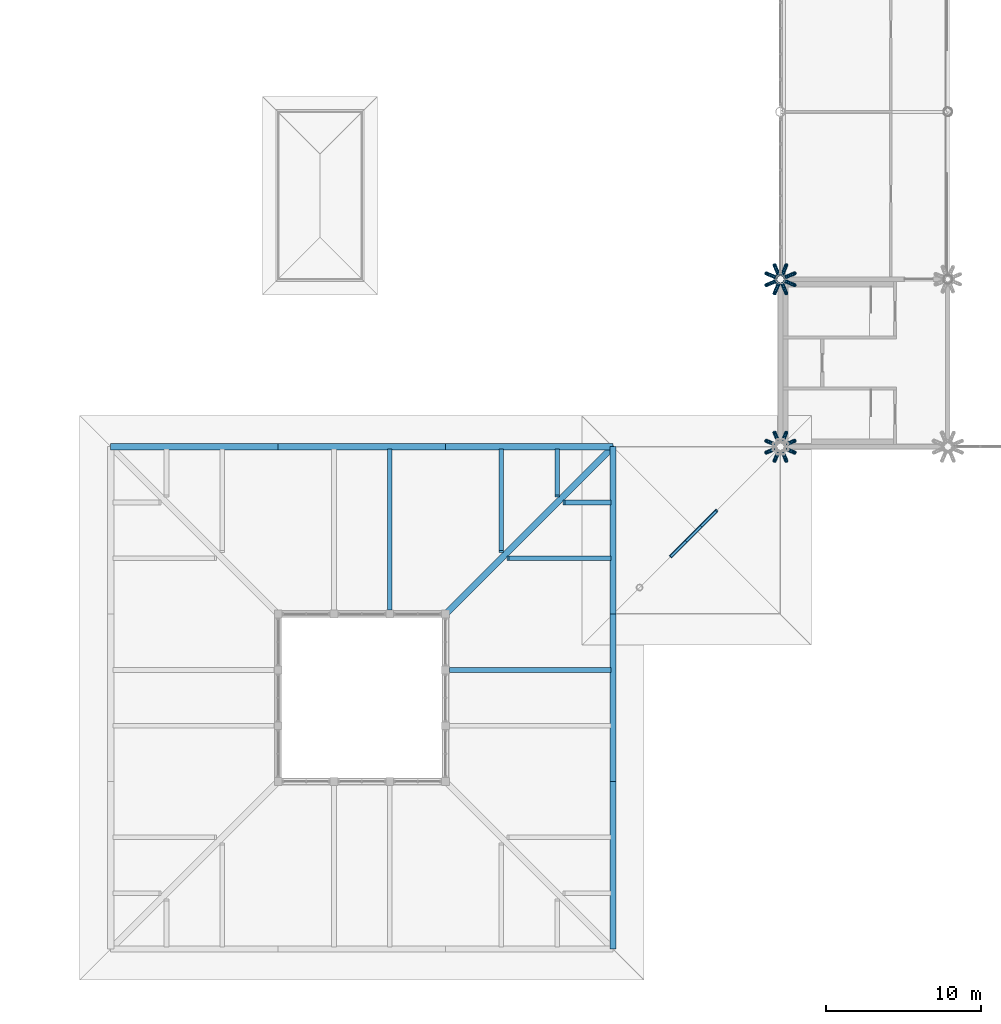
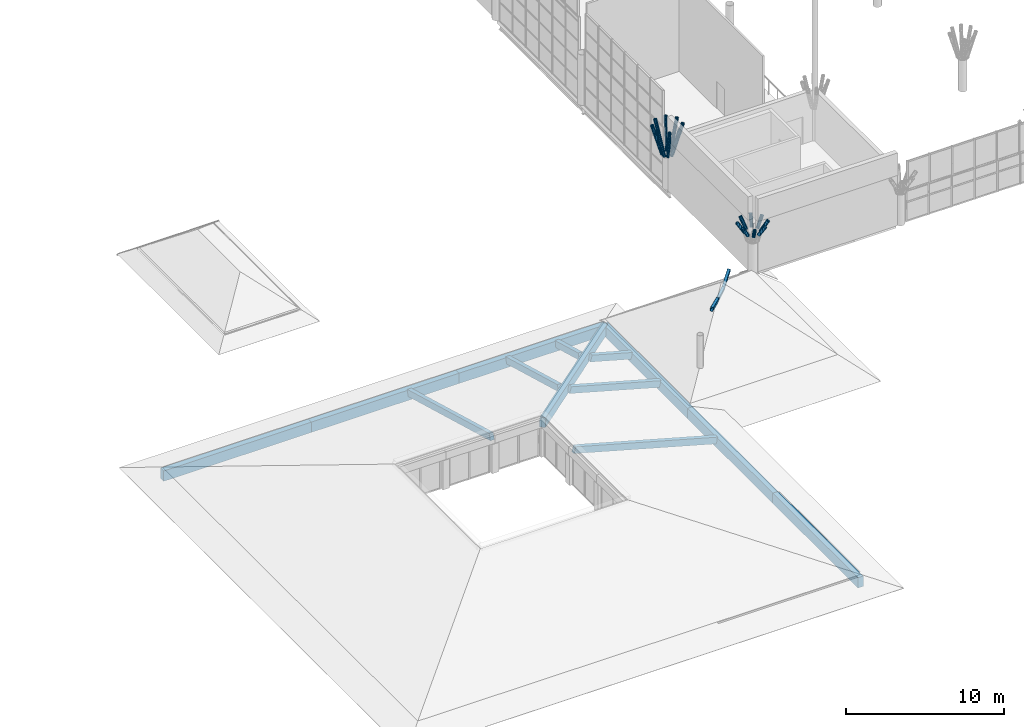
# One storey, part 12 of 95: 19 members, 13 beams.
"""IFC4 building model written with IfcOpenShell, lengths in metres."""

from ifc_helpers import new_model, si_unit, direction, frame, origin, origin_2d, place, context, subcontext, project, spatial, rectangle, hollow_rectangle, hollow_circle, extrude, material, material_profile, profile_set, type_object, element, save


model = new_model("IFC4")

# Units and contexts
model_context = context("Model", 3, precision=1e-05, world=origin(), true_north=direction((0.0, 1.0)))
body_context = subcontext(model_context, "Body", "Model", "MODEL_VIEW")
ifc_project = project(units=[si_unit("LENGTHUNIT", "METRE"), si_unit("AREAUNIT", "SQUARE_METRE"), si_unit("VOLUMEUNIT", "CUBIC_METRE"), si_unit("PLANEANGLEUNIT", "RADIAN"), si_unit("MASSUNIT", "GRAM", prefix="KILO")], contexts=[model_context])

# Site, building, storey
site_placement = place(None, origin())
site = spatial("IfcSite", under=ifc_project, at=site_placement, CompositionType="ELEMENT")
building_placement = place(site_placement, origin())
building = spatial("IfcBuilding", under=site, at=building_placement, Name="Magnolia Steps Interchange", CompositionType="ELEMENT")
storey_placement = place(building_placement, frame((0.0, 0.0, 4.800048828125)))
storey = spatial("IfcBuildingStorey", under=building, at=storey_placement, Name="L01", CompositionType="ELEMENT", Elevation=4.800048828125)

# Beams
ifc_material_1 = material(Name="Concrete C40", Category="concrete")
ifc_material_profile_1 = material_profile(ifc_material_1, rectangle(XDim=0.39990234375, YDim=0.800048828125, at=origin_2d()), Name="RC400x800")
ifc_profile_set_1 = profile_set([ifc_material_profile_1], Name="Concrete C40")
beam_type_1 = type_object("IfcBeamType", Name="Eaves ring beam 400x800", PredefinedType="BEAM", material=ifc_profile_set_1)
for number, where, z_axis, x_axis, name in (
    (1, (10.0, 42.39990234375, -0.550048828125), (1.0, 0.0, 0.0), (0.0, 1.0, 0.0), "Eaves ring beam"),
    (2, (20.800048828125, 42.39990234375, -0.550048828125), (1.0, 0.0, 0.0), (0.0, 1.0, 0.0), "Eaves ring beam"),
):
    element("IfcBeam", number, at=place(storey_placement, frame(where, z_axis=z_axis, x_axis=x_axis)), inside=storey, type_object=beam_type_1, Name=name, PredefinedType="BEAM", context=body_context, shape_type="SweptSolid", body=[
        extrude(rectangle(XDim=0.39990234375, YDim=0.800048828125, at=origin_2d()), origin(), (0.0, 0.0, 1.0), 10.800048828125),
    ])
beam_1_placement = place(storey_placement, frame((31.60009765625, 42.39990234375, -0.550048828125), z_axis=(1.0, 0.0, 0.0), x_axis=(0.0, 1.0, 0.0)))
element("IfcBeam", 3, at=beam_1_placement, inside=storey, type_object=beam_type_1, Name="Eaves ring beam", PredefinedType="BEAM", context=body_context, shape_type="SweptSolid", body=[
    extrude(rectangle(XDim=0.39990234375, YDim=0.800048828125, at=origin_2d()), origin(), (0.0, 0.0, 1.0), 10.7998046875),
])
for number, where, z_axis, x_axis, name in (
    (4, (42.39990234375, 10.0, -0.550048828125), (0.0, 1.0, 0.0), (-1.0, 0.0, 0.0), "Eaves ring beam"),
    (5, (42.39990234375, 20.800048828125, -0.550048828125), (0.0, 1.0, 0.0), (-1.0, 0.0, 0.0), "Eaves ring beam"),
):
    element("IfcBeam", number, at=place(storey_placement, frame(where, z_axis=z_axis, x_axis=x_axis)), inside=storey, type_object=beam_type_1, Name=name, PredefinedType="BEAM", context=body_context, shape_type="SweptSolid", body=[
        extrude(rectangle(XDim=0.39990234375, YDim=0.800048828125, at=origin_2d()), origin(), (0.0, 0.0, 1.0), 10.800048828125),
    ])
beam_2_placement = place(storey_placement, frame((42.39990234375, 31.60009765625, -0.550048828125), z_axis=(0.0, 1.0, 0.0), x_axis=(-1.0, 0.0, 0.0)))
element("IfcBeam", 6, at=beam_2_placement, inside=storey, type_object=beam_type_1, Name="Eaves ring beam", PredefinedType="BEAM", context=body_context, shape_type="SweptSolid", body=[
    extrude(rectangle(XDim=0.39990234375, YDim=0.800048828125, at=origin_2d()), origin(), (0.0, 0.0, 1.0), 10.7998046875),
])
ifc_material_2 = material(Name="Concrete C40", Category="concrete")
ifc_material_profile_2 = material_profile(ifc_material_2, rectangle(XDim=0.39990234375, YDim=0.699951171875, at=origin_2d()), Name="RC400x700")
ifc_profile_set_2 = profile_set([ifc_material_profile_2], Name="Concrete C40")
beam_type_2 = type_object("IfcBeamType", Name="Hip beam 400x700", PredefinedType="BEAM", material=ifc_profile_set_2)
beam_3_placement = place(storey_placement, frame((42.39990234375, 42.39990234375, -0.509765625), z_axis=(-0.693848543912, -0.693848543912, 0.192739192232), x_axis=(0.707106781187, -0.707106781187, 0.0)))
element("IfcBeam", 7, at=beam_3_placement, inside=storey, type_object=beam_type_2, Name="Hip beam", PredefinedType="BEAM", context=body_context, shape_type="SweptSolid", body=[
    extrude(rectangle(XDim=0.39990234375, YDim=0.699951171875, at=origin_2d()), origin(), (0.0, 0.0, 1.0), 15.565185546875),
])
ifc_material_3 = material(Name="Concrete C40", Category="concrete")
ifc_material_profile_3 = material_profile(ifc_material_3, rectangle(XDim=0.300048828125, YDim=0.5, at=origin_2d()), Name="RC300x500")
ifc_profile_set_3 = profile_set([ifc_material_profile_3], Name="Concrete C40")
beam_type_3 = type_object("IfcBeamType", Name="Roof rafter 300x500", PredefinedType="BEAM", material=ifc_profile_set_3)
beam_4_placement = place(storey_placement, frame((28.0, 42.199951171875, -0.359619140625), z_axis=(0.0, -0.963516613411, 0.26764853013), x_axis=(1.0, 0.0, 0.0)))
element("IfcBeam", 8, at=beam_4_placement, inside=storey, type_object=beam_type_3, Name="Roof rafter", PredefinedType="BEAM", context=body_context, shape_type="SweptSolid", body=[
    extrude(rectangle(XDim=0.300048828125, YDim=0.5, at=origin_2d()), origin(), (0.0, 0.0, 1.0), 10.793701171875),
])
beam_5_placement = place(storey_placement, frame((35.199951171875, 42.199951171875, -0.359619140625), z_axis=(0.0, -0.96351739645, 0.267645711226), x_axis=(1.0, 0.0, 0.0)))
element("IfcBeam", 9, at=beam_5_placement, inside=storey, type_object=beam_type_3, Name="Roof rafter", PredefinedType="BEAM", context=body_context, shape_type="SweptSolid", body=[
    extrude(rectangle(XDim=0.300048828125, YDim=0.5, at=origin_2d()), origin(), (0.0, 0.0, 1.0), 6.81591796875),
])
beam_6_placement = place(storey_placement, frame((38.800048828125, 42.199951171875, -0.359619140625), z_axis=(0.0, -0.963514502015, 0.267656130898), x_axis=(1.0, 0.0, 0.0)))
element("IfcBeam", 10, at=beam_6_placement, inside=storey, type_object=beam_type_3, Name="Roof rafter", PredefinedType="BEAM", context=body_context, shape_type="SweptSolid", body=[
    extrude(rectangle(XDim=0.300048828125, YDim=0.5, at=origin_2d()), origin(), (0.0, 0.0, 1.0), 3.079345703125),
])
beam_7_placement = place(storey_placement, frame((42.199951171875, 28.0, -0.359619140625), z_axis=(-0.963516613411, 0.0, 0.26764853013), x_axis=(0.0, -1.0, 0.0)))
element("IfcBeam", 11, at=beam_7_placement, inside=storey, type_object=beam_type_3, Name="Roof rafter", PredefinedType="BEAM", context=body_context, shape_type="SweptSolid", body=[
    extrude(rectangle(XDim=0.300048828125, YDim=0.5, at=origin_2d()), origin(), (0.0, 0.0, 1.0), 10.793701171875),
])
beam_8_placement = place(storey_placement, frame((42.199951171875, 35.199951171875, -0.359619140625), z_axis=(-0.96351739645, 0.0, 0.267645711226), x_axis=(0.0, -1.0, 0.0)))
element("IfcBeam", 12, at=beam_8_placement, inside=storey, type_object=beam_type_3, Name="Roof rafter", PredefinedType="BEAM", context=body_context, shape_type="SweptSolid", body=[
    extrude(rectangle(XDim=0.300048828125, YDim=0.5, at=origin_2d()), origin(), (0.0, 0.0, 1.0), 6.81591796875),
])
beam_9_placement = place(storey_placement, frame((42.199951171875, 38.800048828125, -0.359619140625), z_axis=(-0.963514502015, 0.0, 0.267656130898), x_axis=(0.0, -1.0, 0.0)))
element("IfcBeam", 13, at=beam_9_placement, inside=storey, type_object=beam_type_3, Name="Roof rafter", PredefinedType="BEAM", context=body_context, shape_type="SweptSolid", body=[
    extrude(rectangle(XDim=0.300048828125, YDim=0.5, at=origin_2d()), origin(), (0.0, 0.0, 1.0), 3.079345703125),
])

# Members
ifc_material_4 = material(Name="Steel Q355B", Category="steel")
ifc_material_profile_4 = material_profile(ifc_material_4, hollow_rectangle(XDim=0.199951171875, YDim=0.300048828125, WallThickness=0.011962890625, InnerFilletRadius=0.011962890625, OuterFilletRadius=0.02392578125, at=origin_2d()), Name="RHS300x200x12")
ifc_profile_set_4 = profile_set([ifc_material_profile_4], Name="Steel Q355B")
member_type_1 = type_object("IfcMemberType", Name="Roof truss RHS300x200x12", PredefinedType="USERDEFINED", material=ifc_profile_set_4)
member_1_placement = place(storey_placement, frame((49.08154296875, 38.281494140625, 4.0791015625), z_axis=(-0.671716983955, -0.671551942927, -0.312752748058), x_axis=(0.729711209612, -0.672597388768, -0.123021555791)))
element("IfcMember", 14, at=member_1_placement, inside=storey, type_object=member_type_1, Name="Spike truss SP-H-SW bottom chord", ObjectType="Roof truss", PredefinedType="USERDEFINED", context=body_context, shape_type="SweptSolid", body=[
    extrude(hollow_rectangle(XDim=0.199951171875, YDim=0.300048828125, WallThickness=0.011962890625, InnerFilletRadius=0.011962890625, OuterFilletRadius=0.02392578125, at=origin_2d()), origin(), (0.0, 0.0, 1.0), 1.479248046875),
])
member_2_placement = place(storey_placement, frame((48.087890625, 37.2880859375, 3.616455078125), z_axis=(-0.70597658052, -0.706150081768, 0.054305890809), x_axis=(0.696284761072, -0.706047336916, -0.129169228273)))
element("IfcMember", 15, at=member_2_placement, inside=storey, type_object=member_type_1, Name="Spike truss SP-H-SW bottom chord", ObjectType="Roof truss", PredefinedType="USERDEFINED", context=body_context, shape_type="SweptSolid", body=[
    extrude(hollow_rectangle(XDim=0.199951171875, YDim=0.300048828125, WallThickness=0.011962890625, InnerFilletRadius=0.011962890625, OuterFilletRadius=0.02392578125, at=origin_2d()), origin(), (0.0, 0.0, 1.0), 1.4072265625),
])
member_3_placement = place(storey_placement, frame((47.094482421875, 36.29443359375, 3.69287109375), z_axis=(-0.699111208898, -0.699111208898, 0.149956777732), x_axis=(0.686867227907, -0.714919337624, -0.130781313342)))
element("IfcMember", 16, at=member_3_placement, inside=storey, type_object=member_type_1, Name="Spike truss SP-H-SW bottom chord", ObjectType="Roof truss", PredefinedType="USERDEFINED", context=body_context, shape_type="SweptSolid", body=[
    extrude(hollow_rectangle(XDim=0.199951171875, YDim=0.300048828125, WallThickness=0.011962890625, InnerFilletRadius=0.011962890625, OuterFilletRadius=0.02392578125, at=origin_2d()), origin(), (0.0, 0.0, 1.0), 1.42138671875),
])
ifc_material_5 = material(Name="Steel Q355B", Category="steel")
ifc_material_profile_5 = material_profile(ifc_material_5, hollow_circle(Radius=0.12255859375, WallThickness=0.011962890625, at=origin_2d()), Name="CHS245x12")
ifc_profile_set_5 = profile_set([ifc_material_profile_5], Name="Steel Q355B")
member_type_2 = type_object("IfcMemberType", Name="Tree rib CHS245x12", PredefinedType="USERDEFINED", material=ifc_profile_set_5)
for number, where, z_axis, x_axis, name in (
    (17, (53.65771484375, 42.589599609375, 3.0966796875), (0.489491884821, 0.202752691239, 0.84810909728), (-0.382681038186, 0.923880524209, 0.0), "Tree rib TH01A"),
    (18, (53.3896484375, 42.857666015625, 3.0966796875), (0.202752691239, 0.489491884821, 0.84810909728), (-0.923880524209, 0.382681038186, 0.0), "Tree rib TH01A"),
    (19, (53.010498046875, 42.857666015625, 3.0966796875), (-0.202752691239, 0.489491884821, 0.84810909728), (-0.923880524209, -0.382681038186, 0.0), "Tree rib TH01A"),
    (20, (52.7421875, 42.589599609375, 3.0966796875), (-0.489491884821, 0.202752691239, 0.84810909728), (-0.382681038186, -0.923880524209, 0.0), "Tree rib TH01A"),
    (21, (52.7421875, 42.21044921875, 3.0966796875), (-0.489491884821, -0.202752691239, 0.84810909728), (0.382681038186, -0.923880524209, 0.0), "Tree rib TH01A"),
    (22, (53.010498046875, 41.9423828125, 3.0966796875), (-0.202752691239, -0.489491884821, 0.84810909728), (0.923880524209, -0.382681038186, 0.0), "Tree rib TH01A"),
    (23, (53.3896484375, 41.9423828125, 3.0966796875), (0.202752691239, -0.489491884821, 0.84810909728), (0.923880524209, 0.382681038186, 0.0), "Tree rib TH01A"),
    (24, (53.65771484375, 42.21044921875, 3.0966796875), (0.489491884821, -0.202752691239, 0.84810909728), (0.382681038186, 0.923880524209, 0.0), "Tree rib TH01A"),
):
    element("IfcMember", number, at=place(storey_placement, frame(where, z_axis=z_axis, x_axis=x_axis)), inside=storey, type_object=member_type_2, Name=name, ObjectType="TREE RIB", PredefinedType="USERDEFINED", context=body_context, shape_type="SweptSolid", body=[
        extrude(hollow_circle(Radius=0.12255859375, WallThickness=0.011962890625, at=origin_2d()), origin(), (0.0, 0.0, 1.0), 0.94775390625),
    ])
for number, where, z_axis, x_axis, name in (
    (25, (53.5048828125, 53.326416015625, 2.59423828125), (0.254679018405, 0.105373827881, 0.961267368624), (-0.382318975891, 0.924030411119, 0.0), "Tree rib TH01B"),
    (26, (53.326416015625, 53.5048828125, 2.59423828125), (0.105373827881, 0.254679018405, 0.961267368624), (-0.924030411119, 0.382318975891, 0.0), "Tree rib TH01B"),
    (27, (53.07373046875, 53.5048828125, 2.59423828125), (-0.105475093291, 0.254676268946, 0.961256990992), (-0.923899118291, -0.382636144688, 0.0), "Tree rib TH01B"),
    (28, (52.89501953125, 53.326416015625, 2.59423828125), (-0.254583252625, 0.105376575604, 0.961292434589), (-0.382450274146, -0.923976075343, 0.0), "Tree rib TH01B"),
    (29, (52.89501953125, 53.07373046875, 2.59423828125), (-0.254580504056, -0.105477843595, 0.961282056144), (0.382767514508, -0.923844700065, 0.0), "Tree rib TH01B"),
    (30, (53.07373046875, 52.89501953125, 2.59423828125), (-0.105477843595, -0.254580504056, 0.961282056144), (0.923844700065, -0.382767514508, 0.0), "Tree rib TH01B"),
    (31, (53.326416015625, 52.89501953125, 2.59423828125), (0.105376575604, -0.254583252625, 0.961292434589), (0.923976075343, 0.382450274146, 0.0), "Tree rib TH01B"),
    (32, (53.5048828125, 53.07373046875, 2.59423828125), (0.254676268946, -0.105475093291, 0.961256990992), (0.382636144688, 0.923899118291, 0.0), "Tree rib TH01B"),
):
    element("IfcMember", number, at=place(storey_placement, frame(where, z_axis=z_axis, x_axis=x_axis)), inside=storey, type_object=member_type_2, Name=name, ObjectType="TREE RIB", PredefinedType="USERDEFINED", context=body_context, shape_type="SweptSolid", body=[
        extrude(hollow_circle(Radius=0.12255859375, WallThickness=0.011962890625, at=origin_2d()), origin(), (0.0, 0.0, 1.0), 2.384033203125),
    ])

save(model, "model.ifc")
